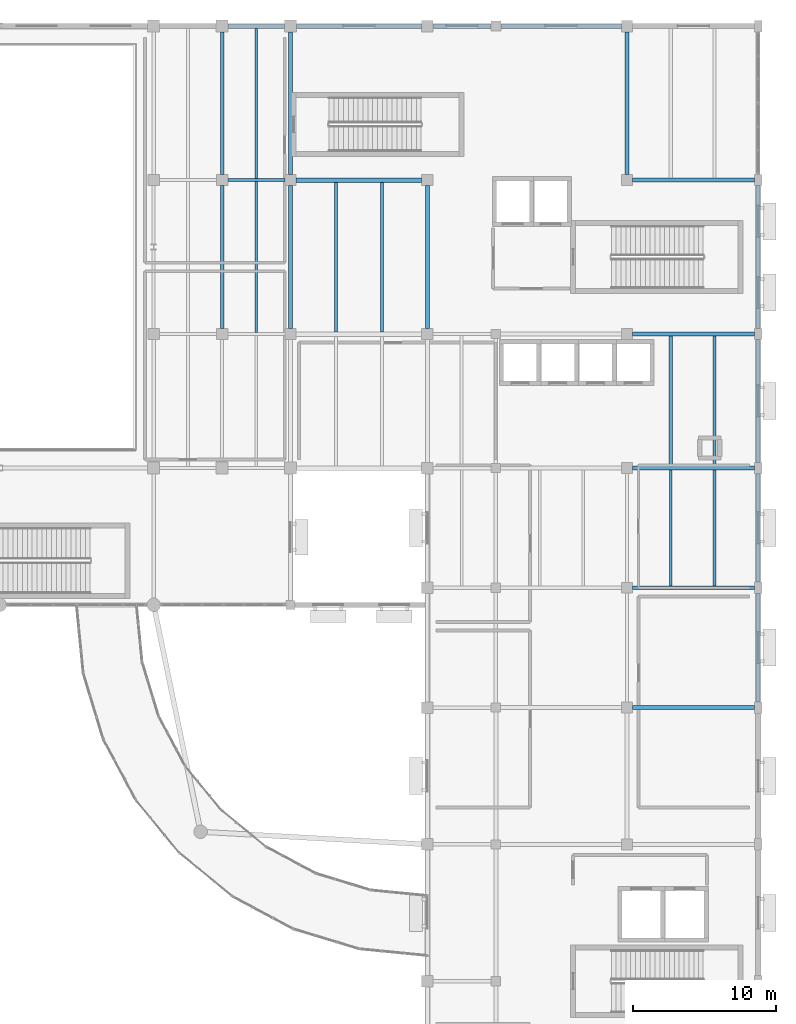
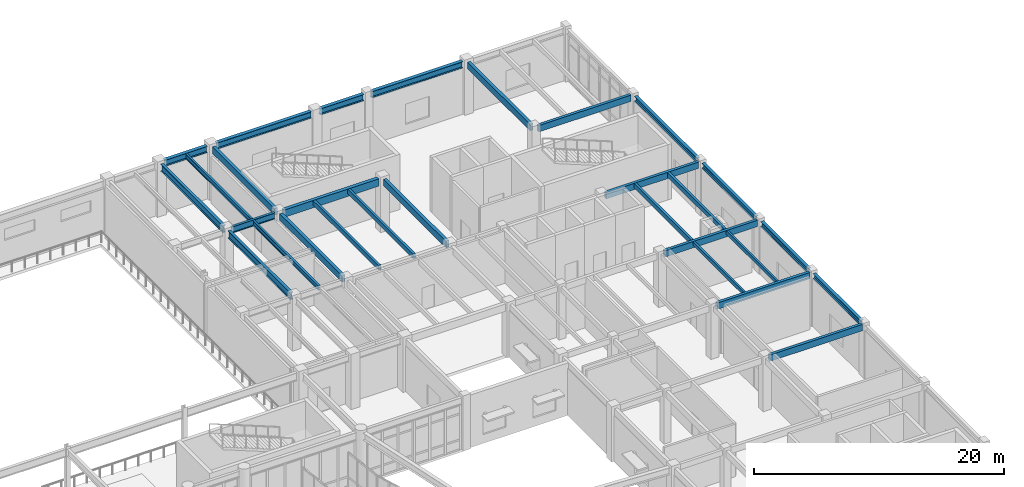
# One storey, part 35 of 72: 29 beams.
"""IFC4 building model written with IfcOpenShell, lengths in metres."""

import ifcopenshell
import ifcopenshell.guid

model = None  # the IFC model being written
_history = None  # IfcOwnerHistory: only IFC2X3 demands one
_inside = {}  # id of a spatial element -> (the spatial element, [elements in it])
_under = {}  # id of a project, library or spatial element -> (it, [spatial elements below it])
_declared = {}  # id of a project -> (the project, [libraries it declares])
_typed = {}  # id of a type object -> (the type object, [elements of that type])
_made_of = {}  # id of a material, layer set ... -> (it, [elements and type objects made of it])


def new_model(schema):
    """Start an empty IFC model of exactly this schema.

    Asked for "IFC4X3", IfcOpenShell would pick the latest addendum, in which some entities
    have other attributes; the version numbers below select the first issue.
    IFC2X3 requires an IfcOwnerHistory on every rooted entity: one is made here for all.
    """
    global model, _history
    if schema == "IFC4X3":
        model = ifcopenshell.file(schema_version=(4, 3, 0, 0))
    else:
        model = ifcopenshell.file(schema=schema)
    _inside.clear()
    _under.clear()
    _declared.clear()
    _typed.clear()
    _made_of.clear()
    _history = None
    if model.schema == "IFC2X3":
        org = make("IfcOrganization", Name="unknown")
        user = make(
            "IfcPersonAndOrganization",
            ThePerson=make("IfcPerson", FamilyName="unknown"),
            TheOrganization=org,
        )
        app = make(
            "IfcApplication",
            ApplicationDeveloper=org,
            Version="unknown",
            ApplicationFullName="unknown",
            ApplicationIdentifier="unknown",
        )
        _history = make(
            "IfcOwnerHistory",
            OwningUser=user,
            OwningApplication=app,
            ChangeAction="ADDED",
            CreationDate=0,
        )
    return model


def make(cls, **values):
    """One entity of the class cls with the attributes given. An attribute that is None is left unset."""
    return model.create_entity(
        cls, **{name: value for name, value in values.items() if value is not None}
    )


def rooted(cls, **values):
    """An entity with a GlobalId (a new one), such as an element, a storey or a relation."""
    return make(cls, GlobalId=ifcopenshell.guid.new(), OwnerHistory=_history, **values)


def si_unit(unit_type, name, prefix=None):
    """IfcSIUnit, for example si_unit("LENGTHUNIT", "METRE", prefix="MILLI")."""
    return make("IfcSIUnit", UnitType=unit_type, Prefix=prefix, Name=name)


def assignment(units):
    """IfcUnitAssignment: the units of a project."""
    return None if units is None else make("IfcUnitAssignment", Units=units)


def point(xyz):
    """IfcCartesianPoint."""
    return None if xyz is None else make("IfcCartesianPoint", Coordinates=xyz)


def direction(xyz):
    """IfcDirection."""
    return None if xyz is None else make("IfcDirection", DirectionRatios=xyz)


def frame(location, z_axis=None, x_axis=None):
    """IfcAxis2Placement3D, a coordinate frame: its origin and axes. An axis left out is left unset."""
    return make(
        "IfcAxis2Placement3D",
        Location=point(location),
        Axis=direction(z_axis),
        RefDirection=direction(x_axis),
    )


def frame_2d(location, x_axis=None):
    """IfcAxis2Placement2D, a coordinate frame in the plane: its origin and x axis."""
    return make(
        "IfcAxis2Placement2D", Location=point(location), RefDirection=direction(x_axis)
    )


def origin():
    """The frame at (0, 0, 0) with its axes left unset."""
    return frame((0.0, 0.0, 0.0))


def origin_2d():
    """The frame at (0, 0) in the plane with its x axis left unset."""
    return frame_2d((0.0, 0.0))


def place(relative_to, where):
    """IfcLocalPlacement: puts the frame where relative to a parent placement (None: the world)."""
    return make(
        "IfcLocalPlacement", PlacementRelTo=relative_to, RelativePlacement=where
    )


def context(
    kind, dimensions, precision=None, world=None, true_north=None, identifier=None
):
    """IfcGeometricRepresentationContext, for example the 3D "Model" context."""
    return make(
        "IfcGeometricRepresentationContext",
        ContextIdentifier=identifier,
        ContextType=kind,
        CoordinateSpaceDimension=dimensions,
        Precision=precision,
        WorldCoordinateSystem=world,
        TrueNorth=true_north,
    )


def subcontext(parent, identifier, kind, view, scale=None):
    """IfcGeometricRepresentationSubContext, for example "Body" below "Model"."""
    return make(
        "IfcGeometricRepresentationSubContext",
        ContextIdentifier=identifier,
        ContextType=kind,
        ParentContext=parent,
        TargetScale=scale,
        TargetView=view,
    )


def project(units=None, contexts=None):
    """IfcProject with its units and contexts."""
    return rooted(
        "IfcProject",
        Name="project",
        RepresentationContexts=contexts,
        UnitsInContext=assignment(units),
    )


def spatial(cls, under=None, at=None, **own):
    """A site, building, storey or space (cls), placed at a placement, below another one or the project."""
    s = rooted(cls, ObjectPlacement=at, **own)
    if under is not None:
        _under.setdefault(under.id(), (under, []))[1].append(s)
    return s


def profile(cls, at=None, kind="AREA", **sizes):
    """A parametric profile (cls). Its sizes go by their IFC names, for example OverallWidth=200.0."""
    return make(cls, ProfileType=kind, Position=at, **sizes)


def rectangle(**sizes):
    """IfcRectangleProfileDef."""
    return profile("IfcRectangleProfileDef", **sizes)


def i_section(**sizes):
    """IfcIShapeProfileDef."""
    return profile("IfcIShapeProfileDef", **sizes)


def extrude(swept, where, along, depth):
    """IfcExtrudedAreaSolid: the profile swept, set in the frame where, extruded along a direction by depth."""
    return make(
        "IfcExtrudedAreaSolid",
        SweptArea=swept,
        Position=where,
        ExtrudedDirection=direction(along),
        Depth=depth,
    )


def shape(context_of_items, identifier, shape_type, items):
    """IfcShapeRepresentation: the items that make up one representation, for example the "Body"."""
    return make(
        "IfcShapeRepresentation",
        ContextOfItems=context_of_items,
        RepresentationIdentifier=identifier,
        RepresentationType=shape_type,
        Items=items,
    )


def material(Name=None, Category=None):
    """IfcMaterial."""
    return make("IfcMaterial", Name=Name, Category=Category)


def material_profile(
    of_material, cross_section, Name=None, Category=None, Priority=None
):
    """IfcMaterialProfile: a cross section and its material."""
    return make(
        "IfcMaterialProfile",
        Name=Name,
        Material=of_material,
        Profile=cross_section,
        Priority=Priority,
        Category=Category,
    )


def profile_set(profiles, Name=None, composite=None):
    """IfcMaterialProfileSet."""
    return make(
        "IfcMaterialProfileSet",
        Name=Name,
        MaterialProfiles=profiles,
        CompositeProfile=composite,
    )


def made_of(thing, what):
    """Note that an element or type object is made of a material, layer set ...; save() writes the relation."""
    if what is not None:
        _made_of.setdefault(what.id(), (what, []))[1].append(thing)
    return thing


def type_object(cls, material=None, **own):
    """A type object (cls), such as IfcWallType, which elements share."""
    return made_of(rooted(cls, **own), material)


def element(
    cls,
    number,
    at=None,
    inside=None,
    cuts=None,
    type_object=None,
    material=None,
    context=None,
    identifier="Body",
    shape_type=None,
    held_by="IfcProductDefinitionShape",
    body=None,
    shapes=None,
    **own,
):
    """One element of the class cls, such as IfcWall. Its Tag is "e" and its number.

    at: its placement. inside: the storey or other place that contains it. cuts: it is an
    opening in that element (IfcRelVoidsElement). A single representation is given by context,
    identifier, shape_type and body (its items); several are given by shapes. held_by: the class
    of the entity that holds the representations. save() writes the other relations.
    """
    e = rooted(cls, Tag="e%d" % number, ObjectPlacement=at, **own)
    if body is not None:
        shapes = [shape(context, identifier, shape_type, body)]
    if shapes is not None:
        e.Representation = make(held_by, Representations=shapes)
    if inside is not None:
        _inside.setdefault(inside.id(), (inside, []))[1].append(e)
    if cuts is not None:
        rooted(
            "IfcRelVoidsElement", RelatingBuildingElement=cuts, RelatedOpeningElement=e
        )
    if type_object is not None:
        _typed.setdefault(type_object.id(), (type_object, []))[1].append(e)
    return made_of(e, material)


def aggregate(whole, parts):
    """IfcRelAggregates: a whole, such as a stair, and the parts it consists of."""
    return rooted("IfcRelAggregates", RelatingObject=whole, RelatedObjects=parts)


def save(model, path):
    """Write the relations noted so far, then the file.

    IfcRelAggregates (storeys below a building ...), IfcRelContainedInSpatialStructure (elements
    in a storey), IfcRelDefinesByType, IfcRelAssociatesMaterial and IfcRelDeclares: one each for
    every whole, place, type object, material and project.
    """
    for whole, parts in _under.values():
        aggregate(whole, parts)
    for where, things in _inside.values():
        rooted(
            "IfcRelContainedInSpatialStructure",
            RelatedElements=things,
            RelatingStructure=where,
        )
    for kind, things in _typed.values():
        rooted("IfcRelDefinesByType", RelatedObjects=things, RelatingType=kind)
    for what, things in _made_of.values():
        rooted("IfcRelAssociatesMaterial", RelatedObjects=things, RelatingMaterial=what)
    for by, libraries in _declared.values():
        rooted("IfcRelDeclares", RelatingContext=by, RelatedDefinitions=libraries)
    model.write(path)


model = new_model("IFC4")

# Units and contexts
model_context = context("Model", 3, precision=1e-05, world=origin(), true_north=direction((0.0, 1.0)))
body_context = subcontext(model_context, "Body", "Model", "MODEL_VIEW")
ifc_project = project(units=[si_unit("LENGTHUNIT", "METRE"), si_unit("AREAUNIT", "SQUARE_METRE"), si_unit("VOLUMEUNIT", "CUBIC_METRE"), si_unit("PLANEANGLEUNIT", "RADIAN"), si_unit("MASSUNIT", "GRAM", prefix="KILO")], contexts=[model_context])

# Site, building, storey
site_placement = place(None, origin())
site = spatial("IfcSite", under=ifc_project, at=site_placement, CompositionType="ELEMENT")
building_placement = place(site_placement, origin())
building = spatial("IfcBuilding", under=site, at=building_placement, Name="Veldera Park Congress Hotel", CompositionType="ELEMENT")
storey_placement = place(building_placement, frame((0.0, 0.0, 5.39990234375)))
storey = spatial("IfcBuildingStorey", under=building, at=storey_placement, Name="L01", CompositionType="ELEMENT", Elevation=5.39990234375)

# Beams
ifc_material_1 = material(Name="Glulam GL28h (NDS 24F-V4)", Category="wood")
ifc_material_profile_1 = material_profile(ifc_material_1, rectangle(XDim=0.264892578125, YDim=0.6201171875, at=origin_2d()), Name="GL28h 265x620")
ifc_profile_set_1 = profile_set([ifc_material_profile_1], Name="Glulam GL28h (NDS 24F-V4)")
beam_type_1 = type_object("IfcBeamType", Name="BM-GL620", PredefinedType="BEAM", material=ifc_profile_set_1)
for number, where, z_axis, x_axis, name in (
    (1, (75.175048828125, 10.199951171875, 4.820068359375), (1.0, 0.0, 0.0), (0.0, 1.0, 0.0), "L01 Girder BM-GL620 595"),
    (2, (75.175048828125, 18.60009765625, 4.820068359375), (1.0, 0.0, 0.0), (0.0, 1.0, 0.0), "L01 Girder BM-GL620 608"),
    (3, (75.175048828125, 27.0, 4.820068359375), (1.0, 0.0, 0.0), (0.0, 1.0, 0.0), "L01 Girder BM-GL620 626"),
    (4, (75.175048828125, 36.39990234375, 4.820068359375), (1.0, 0.0, 0.0), (0.0, 1.0, 0.0), "L01 Girder BM-GL620 636"),
    (5, (75.175048828125, 47.199951171875, 4.820068359375), (1.0, 0.0, 0.0), (0.0, 1.0, 0.0), "L01 Girder BM-GL620 644"),
):
    element("IfcBeam", number, at=place(storey_placement, frame(where, z_axis=z_axis, x_axis=x_axis)), inside=storey, type_object=beam_type_1, Name=name, PredefinedType="BEAM", context=body_context, shape_type="SweptSolid", body=[
        extrude(rectangle(XDim=0.264892578125, YDim=0.6201171875, at=origin_2d()), origin(), (0.0, 0.0, 1.0), 8.550048828125),
    ])
ifc_material_profile_2 = material_profile(ifc_material_1, rectangle(XDim=0.280029296875, YDim=0.639892578125, at=origin_2d()), Name="GL28h 280x640")
ifc_profile_set_2 = profile_set([ifc_material_profile_2], Name="Glulam GL28h (NDS 24F-V4)")
beam_type_2 = type_object("IfcBeamType", Name="BM-GL640", PredefinedType="BEAM", material=ifc_profile_set_2)
beam_1_placement = place(storey_placement, frame((51.199951171875, 36.800048828125, 4.81005859375), z_axis=(0.0, 1.0, 0.0), x_axis=(-1.0, 0.0, 0.0)))
element("IfcBeam", 6, at=beam_1_placement, inside=storey, type_object=beam_type_2, Name="L01 Girder BM-GL640 720", PredefinedType="BEAM", context=body_context, shape_type="SweptSolid", body=[
    extrude(rectangle(XDim=0.280029296875, YDim=0.639892578125, at=origin_2d()), origin(), (0.0, 0.0, 1.0), 10.0),
])
beam_2_placement = place(storey_placement, frame((51.199951171875, 47.60009765625, 4.81005859375), z_axis=(0.0, 1.0, 0.0), x_axis=(-1.0, 0.0, 0.0)))
element("IfcBeam", 7, at=beam_2_placement, inside=storey, type_object=beam_type_2, Name="L01 Girder BM-GL640 721", PredefinedType="BEAM", context=body_context, shape_type="SweptSolid", body=[
    extrude(rectangle(XDim=0.280029296875, YDim=0.639892578125, at=origin_2d()), origin(), (0.0, 0.0, 1.0), 9.974853515625),
])
beam_3_placement = place(storey_placement, frame((60.800048828125, 36.800048828125, 4.81005859375), z_axis=(0.0, 1.0, 0.0), x_axis=(-1.0, 0.0, 0.0)))
element("IfcBeam", 8, at=beam_3_placement, inside=storey, type_object=beam_type_2, Name="L01 Girder BM-GL640 733", PredefinedType="BEAM", context=body_context, shape_type="SweptSolid", body=[
    extrude(rectangle(XDim=0.280029296875, YDim=0.639892578125, at=origin_2d()), origin(), (0.0, 0.0, 1.0), 10.0),
])
beam_4_placement = place(storey_placement, frame((74.800048828125, 47.574951171875, 4.81005859375), z_axis=(0.0, 1.0, 0.0), x_axis=(-1.0, 0.0, 0.0)))
element("IfcBeam", 9, at=beam_4_placement, inside=storey, type_object=beam_type_2, Name="L01 Girder BM-GL640 748", PredefinedType="BEAM", context=body_context, shape_type="SweptSolid", body=[
    extrude(rectangle(XDim=0.280029296875, YDim=0.639892578125, at=origin_2d()), origin(), (0.0, 0.0, 1.0), 10.025146484375),
])
ifc_material_profile_3 = material_profile(ifc_material_1, rectangle(XDim=0.31494140625, YDim=0.719970703125, at=origin_2d()), Name="GL28h 315x720")
ifc_profile_set_3 = profile_set([ifc_material_profile_3], Name="Glulam GL28h (NDS 24F-V4)")
beam_type_3 = type_object("IfcBeamType", Name="BM-GL720", PredefinedType="BEAM", material=ifc_profile_set_3)
beam_5_placement = place(storey_placement, frame((51.60009765625, 47.199951171875, 4.77001953125), z_axis=(1.0, 0.0, 0.0), x_axis=(0.0, 1.0, 0.0)))
element("IfcBeam", 10, at=beam_5_placement, inside=storey, type_object=beam_type_3, Name="L01 Girder BM-GL720 643", PredefinedType="BEAM", context=body_context, shape_type="SweptSolid", body=[
    extrude(rectangle(XDim=0.31494140625, YDim=0.719970703125, at=origin_2d()), origin(), (0.0, 0.0, 1.0), 8.7998046875),
])
ifc_material_2 = material(Name="Steel ASTM A992 Gr.50", Category="steel")
ifc_material_profile_4 = material_profile(ifc_material_2, i_section(OverallWidth=0.22900390625, OverallDepth=0.612060546875, WebThickness=0.011962890625, FlangeThickness=0.01953125, at=origin_2d()), Name="W24X84")
ifc_profile_set_4 = profile_set([ifc_material_profile_4], Name="Steel ASTM A992 Gr.50")
beam_type_4 = type_object("IfcBeamType", Name="BM-W24", PredefinedType="BEAM", material=ifc_profile_set_4)
beam_6_placement = place(storey_placement, frame((46.800048828125, 47.199951171875, 4.82421875), z_axis=(1.0, 0.0, 0.0), x_axis=(0.0, 1.0, 0.0)))
element("IfcBeam", 11, at=beam_6_placement, inside=storey, type_object=beam_type_4, Name="L01 Girder BM-W24 642", PredefinedType="BEAM", context=body_context, shape_type="SweptSolid", body=[
    extrude(i_section(OverallWidth=0.22900390625, OverallDepth=0.612060546875, WebThickness=0.011962890625, FlangeThickness=0.01953125, at=origin_2d()), origin(), (0.0, 0.0, 1.0), 4.0),
])
ifc_material_profile_5 = material_profile(ifc_material_2, i_section(OverallWidth=0.323974609375, OverallDepth=0.612060546875, WebThickness=0.0126953125, FlangeThickness=0.01904296875, at=origin_2d()), Name="W24X104")
ifc_profile_set_5 = profile_set([ifc_material_profile_5], Name="Steel ASTM A992 Gr.50")
beam_type_5 = type_object("IfcBeamType", Name="BM-W24E", PredefinedType="BEAM", material=ifc_profile_set_5)
beam_7_placement = place(storey_placement, frame((46.824951171875, 58.0, 4.82421875), z_axis=(1.0, 0.0, 0.0), x_axis=(0.0, 1.0, 0.0)))
element("IfcBeam", 12, at=beam_7_placement, inside=storey, type_object=beam_type_5, Name="L01 Girder BM-W24E 654", PredefinedType="BEAM", context=body_context, shape_type="SweptSolid", body=[
    extrude(i_section(OverallWidth=0.323974609375, OverallDepth=0.612060546875, WebThickness=0.0126953125, FlangeThickness=0.01904296875, at=origin_2d()), origin(), (0.0, 0.0, 1.0), 3.949951171875),
])
ifc_material_profile_6 = material_profile(ifc_material_2, i_section(OverallWidth=0.256103515625, OverallDepth=0.693115234375, WebThickness=0.014404296875, FlangeThickness=0.023681640625, at=origin_2d()), Name="W27X114")
ifc_profile_set_6 = profile_set([ifc_material_profile_6], Name="Steel ASTM A992 Gr.50")
beam_type_6 = type_object("IfcBeamType", Name="BM-W27", PredefinedType="BEAM", material=ifc_profile_set_6)
beam_8_placement = place(storey_placement, frame((46.39990234375, 36.800048828125, 4.78369140625), z_axis=(0.0, 1.0, 0.0), x_axis=(-1.0, 0.0, 0.0)))
element("IfcBeam", 13, at=beam_8_placement, inside=storey, type_object=beam_type_6, Name="L01 Girder BM-W27 716", PredefinedType="BEAM", context=body_context, shape_type="SweptSolid", body=[
    extrude(i_section(OverallWidth=0.256103515625, OverallDepth=0.693115234375, WebThickness=0.014404296875, FlangeThickness=0.023681640625, at=origin_2d()), origin(), (0.0, 0.0, 1.0), 10.0),
])
beam_9_placement = place(storey_placement, frame((46.39990234375, 47.60009765625, 4.78369140625), z_axis=(0.0, 1.0, 0.0), x_axis=(-1.0, 0.0, 0.0)))
element("IfcBeam", 14, at=beam_9_placement, inside=storey, type_object=beam_type_6, Name="L01 Girder BM-W27 717", PredefinedType="BEAM", context=body_context, shape_type="SweptSolid", body=[
    extrude(i_section(OverallWidth=0.256103515625, OverallDepth=0.693115234375, WebThickness=0.014404296875, FlangeThickness=0.023681640625, at=origin_2d()), origin(), (0.0, 0.0, 1.0), 9.974853515625),
])
ifc_material_profile_7 = material_profile(ifc_material_1, rectangle(XDim=0.179931640625, YDim=0.360107421875, at=origin_2d()), Name="GL28h 180x360")
ifc_profile_set_7 = profile_set([ifc_material_profile_7], Name="Glulam GL28h (NDS 24F-V4)")
beam_type_7 = type_object("IfcBeamType", Name="JST-GL360", PredefinedType="JOIST", material=ifc_profile_set_7)
for number, where, z_axis, x_axis, name in (
    (15, (77.86669921875, 18.732421875, 4.9501953125), (0.0, 1.0, 0.0), (-1.0, 0.0, 0.0), "L01 Floor Joist JST-GL360 779"),
    (16, (80.933349609375, 18.732421875, 4.9501953125), (0.0, 1.0, 0.0), (-1.0, 0.0, 0.0), "L01 Floor Joist JST-GL360 780"),
):
    element("IfcBeam", number, at=place(storey_placement, frame(where, z_axis=z_axis, x_axis=x_axis)), inside=storey, type_object=beam_type_7, Name=name, PredefinedType="JOIST", context=body_context, shape_type="SweptSolid", body=[
        extrude(rectangle(XDim=0.179931640625, YDim=0.360107421875, at=origin_2d()), origin(), (0.0, 0.0, 1.0), 8.135009765625),
    ])
ifc_material_profile_8 = material_profile(ifc_material_1, rectangle(XDim=0.215087890625, YDim=0.449951171875, at=origin_2d()), Name="GL28h 215x450")
ifc_profile_set_8 = profile_set([ifc_material_profile_8], Name="Glulam GL28h (NDS 24F-V4)")
beam_type_8 = type_object("IfcBeamType", Name="JST-GL450", PredefinedType="JOIST", material=ifc_profile_set_8)
for number, where, z_axis, x_axis, name in (
    (17, (77.86669921875, 27.132568359375, 4.905029296875), (0.0, 1.0, 0.0), (-1.0, 0.0, 0.0), "L01 Floor Joist JST-GL450 794"),
    (18, (80.933349609375, 27.132568359375, 4.905029296875), (0.0, 1.0, 0.0), (-1.0, 0.0, 0.0), "L01 Floor Joist JST-GL450 795"),
):
    element("IfcBeam", number, at=place(storey_placement, frame(where, z_axis=z_axis, x_axis=x_axis)), inside=storey, type_object=beam_type_8, Name=name, PredefinedType="JOIST", context=body_context, shape_type="SweptSolid", body=[
        extrude(rectangle(XDim=0.215087890625, YDim=0.449951171875, at=origin_2d()), origin(), (0.0, 0.0, 1.0), 9.135009765625),
    ])
for number, where, z_axis, x_axis, name in (
    (19, (54.39990234375, 36.5576171875, 4.905029296875), (0.0, 1.0, 0.0), (-1.0, 0.0, 0.0), "L01 Floor Joist JST-GL450 806"),
    (20, (57.60009765625, 36.5576171875, 4.905029296875), (0.0, 1.0, 0.0), (-1.0, 0.0, 0.0), "L01 Floor Joist JST-GL450 807"),
):
    element("IfcBeam", number, at=place(storey_placement, frame(where, z_axis=z_axis, x_axis=x_axis)), inside=storey, type_object=beam_type_8, Name=name, PredefinedType="JOIST", context=body_context, shape_type="SweptSolid", body=[
        extrude(rectangle(XDim=0.215087890625, YDim=0.449951171875, at=origin_2d()), origin(), (0.0, 0.0, 1.0), 10.48486328125),
    ])
ifc_material_profile_9 = material_profile(ifc_material_2, i_section(OverallWidth=0.19189453125, OverallDepth=0.462890625, WebThickness=0.010498046875, FlangeThickness=0.017578125, at=origin_2d()), Name="W18X60")
ifc_profile_set_9 = profile_set([ifc_material_profile_9], Name="Steel ASTM A992 Gr.50")
beam_type_9 = type_object("IfcBeamType", Name="JST-W18C", PredefinedType="JOIST", material=ifc_profile_set_9)
beam_10_placement = place(storey_placement, frame((48.800048828125, 36.514404296875, 4.898681640625), z_axis=(0.0, 1.0, 0.0), x_axis=(-1.0, 0.0, 0.0)))
element("IfcBeam", 21, at=beam_10_placement, inside=storey, type_object=beam_type_9, Name="L01 Floor Joist JST-W18C 805", PredefinedType="JOIST", context=body_context, shape_type="SweptSolid", body=[
    extrude(i_section(OverallWidth=0.19189453125, OverallDepth=0.462890625, WebThickness=0.010498046875, FlangeThickness=0.017578125, at=origin_2d()), origin(), (0.0, 0.0, 1.0), 10.571044921875),
])
beam_11_placement = place(storey_placement, frame((48.800048828125, 47.314453125, 4.898681640625), z_axis=(0.0, 1.0, 0.0), x_axis=(-1.0, 0.0, 0.0)))
element("IfcBeam", 22, at=beam_11_placement, inside=storey, type_object=beam_type_9, Name="L01 Floor Joist JST-W18C 815", PredefinedType="JOIST", context=body_context, shape_type="SweptSolid", body=[
    extrude(i_section(OverallWidth=0.19189453125, OverallDepth=0.462890625, WebThickness=0.010498046875, FlangeThickness=0.017578125, at=origin_2d()), origin(), (0.0, 0.0, 1.0), 10.5234375),
])
ifc_material_profile_10 = material_profile(ifc_material_2, i_section(OverallWidth=0.280029296875, OverallDepth=0.462890625, WebThickness=0.0107421875, FlangeThickness=0.017333984375, at=origin_2d()), Name="W18X76")
ifc_profile_set_10 = profile_set([ifc_material_profile_10], Name="Steel ASTM A992 Gr.50")
beam_type_10 = type_object("IfcBeamType", Name="SPN-W18E", PredefinedType="SPANDREL", material=ifc_profile_set_10)
beam_12_placement = place(storey_placement, frame((84.0, 10.60009765625, 4.898681640625), z_axis=(0.0, 1.0, 0.0), x_axis=(-1.0, 0.0, 0.0)))
element("IfcBeam", 23, at=beam_12_placement, inside=storey, type_object=beam_type_10, Name="L01 Girder SPN-W18E 757", PredefinedType="SPANDREL", context=body_context, shape_type="SweptSolid", body=[
    extrude(i_section(OverallWidth=0.280029296875, OverallDepth=0.462890625, WebThickness=0.0107421875, FlangeThickness=0.017333984375, at=origin_2d()), origin(), (0.0, 0.0, 1.0), 7.599853515625),
])
beam_13_placement = place(storey_placement, frame((84.0, 19.0, 4.898681640625), z_axis=(0.0, 1.0, 0.0), x_axis=(-1.0, 0.0, 0.0)))
element("IfcBeam", 24, at=beam_13_placement, inside=storey, type_object=beam_type_10, Name="L01 Girder SPN-W18E 758", PredefinedType="SPANDREL", context=body_context, shape_type="SweptSolid", body=[
    extrude(i_section(OverallWidth=0.280029296875, OverallDepth=0.462890625, WebThickness=0.0107421875, FlangeThickness=0.017333984375, at=origin_2d()), origin(), (0.0, 0.0, 1.0), 7.60009765625),
])
beam_14_placement = place(storey_placement, frame((84.0, 27.39990234375, 4.898681640625), z_axis=(0.0, 1.0, 0.0), x_axis=(-1.0, 0.0, 0.0)))
element("IfcBeam", 25, at=beam_14_placement, inside=storey, type_object=beam_type_10, Name="L01 Girder SPN-W18E 759", PredefinedType="SPANDREL", context=body_context, shape_type="SweptSolid", body=[
    extrude(i_section(OverallWidth=0.280029296875, OverallDepth=0.462890625, WebThickness=0.0107421875, FlangeThickness=0.017333984375, at=origin_2d()), origin(), (0.0, 0.0, 1.0), 8.60009765625),
])
beam_15_placement = place(storey_placement, frame((84.0, 36.800048828125, 4.898681640625), z_axis=(0.0, 1.0, 0.0), x_axis=(-1.0, 0.0, 0.0)))
element("IfcBeam", 26, at=beam_15_placement, inside=storey, type_object=beam_type_10, Name="L01 Girder SPN-W18E 760", PredefinedType="SPANDREL", context=body_context, shape_type="SweptSolid", body=[
    extrude(i_section(OverallWidth=0.280029296875, OverallDepth=0.462890625, WebThickness=0.0107421875, FlangeThickness=0.017333984375, at=origin_2d()), origin(), (0.0, 0.0, 1.0), 10.0),
])
ifc_material_profile_11 = material_profile(ifc_material_2, i_section(OverallWidth=0.323974609375, OverallDepth=0.612060546875, WebThickness=0.0126953125, FlangeThickness=0.01904296875, at=origin_2d()), Name="W24X104")
ifc_profile_set_11 = profile_set([ifc_material_profile_11], Name="Steel ASTM A992 Gr.50")
beam_type_11 = type_object("IfcBeamType", Name="SPN-W24E", PredefinedType="SPANDREL", material=ifc_profile_set_11)
beam_16_placement = place(storey_placement, frame((51.625, 58.0, 4.82421875), z_axis=(1.0, 0.0, 0.0), x_axis=(0.0, 1.0, 0.0)))
element("IfcBeam", 27, at=beam_16_placement, inside=storey, type_object=beam_type_11, Name="L01 Girder SPN-W24E 655", PredefinedType="SPANDREL", context=body_context, shape_type="SweptSolid", body=[
    extrude(i_section(OverallWidth=0.323974609375, OverallDepth=0.612060546875, WebThickness=0.0126953125, FlangeThickness=0.01904296875, at=origin_2d()), origin(), (0.0, 0.0, 1.0), 8.77490234375),
])
beam_17_placement = place(storey_placement, frame((61.199951171875, 58.0, 4.82421875), z_axis=(1.0, 0.0, 0.0), x_axis=(0.0, 1.0, 0.0)))
element("IfcBeam", 28, at=beam_17_placement, inside=storey, type_object=beam_type_11, Name="L01 Girder SPN-W24E 656", PredefinedType="SPANDREL", context=body_context, shape_type="SweptSolid", body=[
    extrude(i_section(OverallWidth=0.323974609375, OverallDepth=0.612060546875, WebThickness=0.0126953125, FlangeThickness=0.01904296875, at=origin_2d()), origin(), (0.0, 0.0, 1.0), 4.050048828125),
])
beam_18_placement = place(storey_placement, frame((65.949951171875, 58.0, 4.82421875), z_axis=(1.0, 0.0, 0.0), x_axis=(0.0, 1.0, 0.0)))
element("IfcBeam", 29, at=beam_18_placement, inside=storey, type_object=beam_type_11, Name="L01 Girder SPN-W24E 657", PredefinedType="SPANDREL", context=body_context, shape_type="SweptSolid", body=[
    extrude(i_section(OverallWidth=0.323974609375, OverallDepth=0.612060546875, WebThickness=0.0126953125, FlangeThickness=0.01904296875, at=origin_2d()), origin(), (0.0, 0.0, 1.0), 8.449951171875),
])

save(model, "model.ifc")
